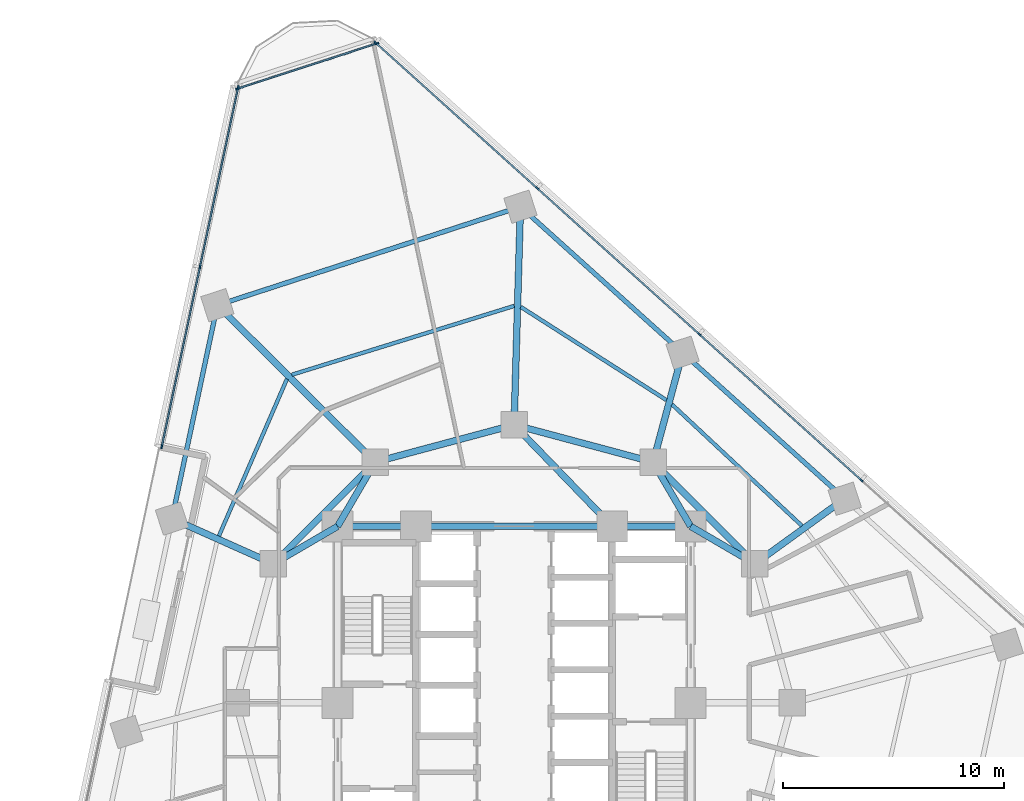
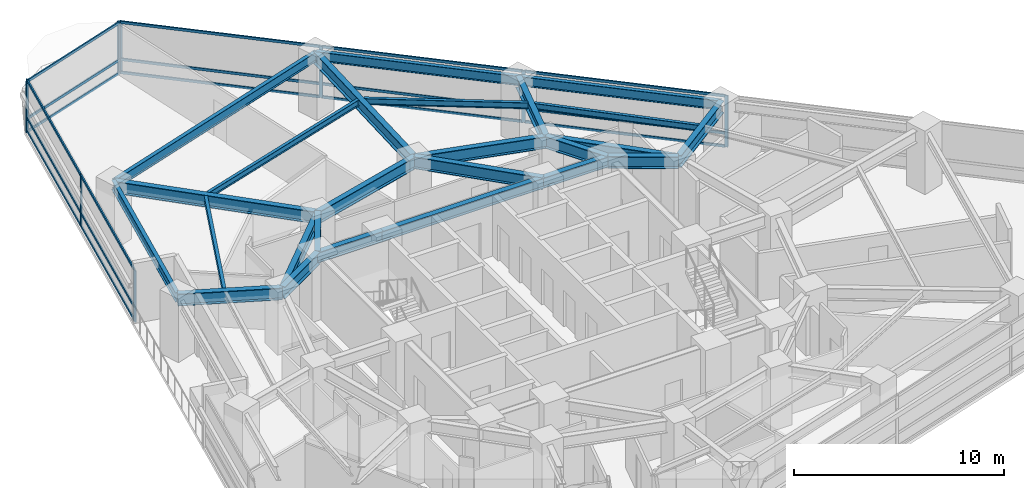
# One storey, part 5 of 14: 27 members, 25 beams, 3 elements without a shape of their own.
"""IFC4 building model written with IfcOpenShell, lengths in metres."""

import ifcopenshell
import ifcopenshell.guid

model = None  # the IFC model being written
_history = None  # IfcOwnerHistory: only IFC2X3 demands one
_inside = {}  # id of a spatial element -> (the spatial element, [elements in it])
_under = {}  # id of a project, library or spatial element -> (it, [spatial elements below it])
_declared = {}  # id of a project -> (the project, [libraries it declares])
_typed = {}  # id of a type object -> (the type object, [elements of that type])
_made_of = {}  # id of a material, layer set ... -> (it, [elements and type objects made of it])


def new_model(schema):
    """Start an empty IFC model of exactly this schema.

    Asked for "IFC4X3", IfcOpenShell would pick the latest addendum, in which some entities
    have other attributes; the version numbers below select the first issue.
    IFC2X3 requires an IfcOwnerHistory on every rooted entity: one is made here for all.
    """
    global model, _history
    if schema == "IFC4X3":
        model = ifcopenshell.file(schema_version=(4, 3, 0, 0))
    else:
        model = ifcopenshell.file(schema=schema)
    _inside.clear()
    _under.clear()
    _declared.clear()
    _typed.clear()
    _made_of.clear()
    _history = None
    if model.schema == "IFC2X3":
        org = make("IfcOrganization", Name="unknown")
        user = make(
            "IfcPersonAndOrganization",
            ThePerson=make("IfcPerson", FamilyName="unknown"),
            TheOrganization=org,
        )
        app = make(
            "IfcApplication",
            ApplicationDeveloper=org,
            Version="unknown",
            ApplicationFullName="unknown",
            ApplicationIdentifier="unknown",
        )
        _history = make(
            "IfcOwnerHistory",
            OwningUser=user,
            OwningApplication=app,
            ChangeAction="ADDED",
            CreationDate=0,
        )
    return model


def make(cls, **values):
    """One entity of the class cls with the attributes given. An attribute that is None is left unset."""
    return model.create_entity(
        cls, **{name: value for name, value in values.items() if value is not None}
    )


def rooted(cls, **values):
    """An entity with a GlobalId (a new one), such as an element, a storey or a relation."""
    return make(cls, GlobalId=ifcopenshell.guid.new(), OwnerHistory=_history, **values)


def si_unit(unit_type, name, prefix=None):
    """IfcSIUnit, for example si_unit("LENGTHUNIT", "METRE", prefix="MILLI")."""
    return make("IfcSIUnit", UnitType=unit_type, Prefix=prefix, Name=name)


def assignment(units):
    """IfcUnitAssignment: the units of a project."""
    return None if units is None else make("IfcUnitAssignment", Units=units)


def point(xyz):
    """IfcCartesianPoint."""
    return None if xyz is None else make("IfcCartesianPoint", Coordinates=xyz)


def direction(xyz):
    """IfcDirection."""
    return None if xyz is None else make("IfcDirection", DirectionRatios=xyz)


def frame(location, z_axis=None, x_axis=None):
    """IfcAxis2Placement3D, a coordinate frame: its origin and axes. An axis left out is left unset."""
    return make(
        "IfcAxis2Placement3D",
        Location=point(location),
        Axis=direction(z_axis),
        RefDirection=direction(x_axis),
    )


def frame_2d(location, x_axis=None):
    """IfcAxis2Placement2D, a coordinate frame in the plane: its origin and x axis."""
    return make(
        "IfcAxis2Placement2D", Location=point(location), RefDirection=direction(x_axis)
    )


def origin():
    """The frame at (0, 0, 0) with its axes left unset."""
    return frame((0.0, 0.0, 0.0))


def origin_2d():
    """The frame at (0, 0) in the plane with its x axis left unset."""
    return frame_2d((0.0, 0.0))


def place(relative_to, where):
    """IfcLocalPlacement: puts the frame where relative to a parent placement (None: the world)."""
    return make(
        "IfcLocalPlacement", PlacementRelTo=relative_to, RelativePlacement=where
    )


def context(
    kind, dimensions, precision=None, world=None, true_north=None, identifier=None
):
    """IfcGeometricRepresentationContext, for example the 3D "Model" context."""
    return make(
        "IfcGeometricRepresentationContext",
        ContextIdentifier=identifier,
        ContextType=kind,
        CoordinateSpaceDimension=dimensions,
        Precision=precision,
        WorldCoordinateSystem=world,
        TrueNorth=true_north,
    )


def subcontext(parent, identifier, kind, view, scale=None):
    """IfcGeometricRepresentationSubContext, for example "Body" below "Model"."""
    return make(
        "IfcGeometricRepresentationSubContext",
        ContextIdentifier=identifier,
        ContextType=kind,
        ParentContext=parent,
        TargetScale=scale,
        TargetView=view,
    )


def project(units=None, contexts=None):
    """IfcProject with its units and contexts."""
    return rooted(
        "IfcProject",
        Name="project",
        RepresentationContexts=contexts,
        UnitsInContext=assignment(units),
    )


def spatial(cls, under=None, at=None, **own):
    """A site, building, storey or space (cls), placed at a placement, below another one or the project."""
    s = rooted(cls, ObjectPlacement=at, **own)
    if under is not None:
        _under.setdefault(under.id(), (under, []))[1].append(s)
    return s


def profile(cls, at=None, kind="AREA", **sizes):
    """A parametric profile (cls). Its sizes go by their IFC names, for example OverallWidth=200.0."""
    return make(cls, ProfileType=kind, Position=at, **sizes)


def rectangle(**sizes):
    """IfcRectangleProfileDef."""
    return profile("IfcRectangleProfileDef", **sizes)


def i_section(**sizes):
    """IfcIShapeProfileDef."""
    return profile("IfcIShapeProfileDef", **sizes)


def extrude(swept, where, along, depth):
    """IfcExtrudedAreaSolid: the profile swept, set in the frame where, extruded along a direction by depth."""
    return make(
        "IfcExtrudedAreaSolid",
        SweptArea=swept,
        Position=where,
        ExtrudedDirection=direction(along),
        Depth=depth,
    )


def shape(context_of_items, identifier, shape_type, items):
    """IfcShapeRepresentation: the items that make up one representation, for example the "Body"."""
    return make(
        "IfcShapeRepresentation",
        ContextOfItems=context_of_items,
        RepresentationIdentifier=identifier,
        RepresentationType=shape_type,
        Items=items,
    )


def material(Name=None, Category=None):
    """IfcMaterial."""
    return make("IfcMaterial", Name=Name, Category=Category)


def layer(
    of_material, thickness, ventilated=None, Name=None, Category=None, Priority=None
):
    """IfcMaterialLayer: one layer of a wall or slab, of a material (None: an air gap)."""
    return make(
        "IfcMaterialLayer",
        Material=of_material,
        LayerThickness=thickness,
        IsVentilated=ventilated,
        Name=Name,
        Category=Category,
        Priority=Priority,
    )


def layer_set(layers, Name=None):
    """IfcMaterialLayerSet."""
    return make("IfcMaterialLayerSet", MaterialLayers=layers, LayerSetName=Name)


def material_profile(
    of_material, cross_section, Name=None, Category=None, Priority=None
):
    """IfcMaterialProfile: a cross section and its material."""
    return make(
        "IfcMaterialProfile",
        Name=Name,
        Material=of_material,
        Profile=cross_section,
        Priority=Priority,
        Category=Category,
    )


def profile_set(profiles, Name=None, composite=None):
    """IfcMaterialProfileSet."""
    return make(
        "IfcMaterialProfileSet",
        Name=Name,
        MaterialProfiles=profiles,
        CompositeProfile=composite,
    )


def made_of(thing, what):
    """Note that an element or type object is made of a material, layer set ...; save() writes the relation."""
    if what is not None:
        _made_of.setdefault(what.id(), (what, []))[1].append(thing)
    return thing


def type_object(cls, material=None, **own):
    """A type object (cls), such as IfcWallType, which elements share."""
    return made_of(rooted(cls, **own), material)


def element(
    cls,
    number,
    at=None,
    inside=None,
    cuts=None,
    type_object=None,
    material=None,
    context=None,
    identifier="Body",
    shape_type=None,
    held_by="IfcProductDefinitionShape",
    body=None,
    shapes=None,
    **own,
):
    """One element of the class cls, such as IfcWall. Its Tag is "e" and its number.

    at: its placement. inside: the storey or other place that contains it. cuts: it is an
    opening in that element (IfcRelVoidsElement). A single representation is given by context,
    identifier, shape_type and body (its items); several are given by shapes. held_by: the class
    of the entity that holds the representations. save() writes the other relations.
    """
    e = rooted(cls, Tag="e%d" % number, ObjectPlacement=at, **own)
    if body is not None:
        shapes = [shape(context, identifier, shape_type, body)]
    if shapes is not None:
        e.Representation = make(held_by, Representations=shapes)
    if inside is not None:
        _inside.setdefault(inside.id(), (inside, []))[1].append(e)
    if cuts is not None:
        rooted(
            "IfcRelVoidsElement", RelatingBuildingElement=cuts, RelatedOpeningElement=e
        )
    if type_object is not None:
        _typed.setdefault(type_object.id(), (type_object, []))[1].append(e)
    return made_of(e, material)


def aggregate(whole, parts):
    """IfcRelAggregates: a whole, such as a stair, and the parts it consists of."""
    return rooted("IfcRelAggregates", RelatingObject=whole, RelatedObjects=parts)


def save(model, path):
    """Write the relations noted so far, then the file.

    IfcRelAggregates (storeys below a building ...), IfcRelContainedInSpatialStructure (elements
    in a storey), IfcRelDefinesByType, IfcRelAssociatesMaterial and IfcRelDeclares: one each for
    every whole, place, type object, material and project.
    """
    for whole, parts in _under.values():
        aggregate(whole, parts)
    for where, things in _inside.values():
        rooted(
            "IfcRelContainedInSpatialStructure",
            RelatedElements=things,
            RelatingStructure=where,
        )
    for kind, things in _typed.values():
        rooted("IfcRelDefinesByType", RelatedObjects=things, RelatingType=kind)
    for what, things in _made_of.values():
        rooted("IfcRelAssociatesMaterial", RelatedObjects=things, RelatingMaterial=what)
    for by, libraries in _declared.values():
        rooted("IfcRelDeclares", RelatingContext=by, RelatedDefinitions=libraries)
    model.write(path)


model = new_model("IFC4")

# Units and contexts
model_context = context("Model", 3, precision=1e-05, world=origin(), true_north=direction((0.0, 1.0)))
body_context = subcontext(model_context, "Body", "Model", "MODEL_VIEW")
ifc_project = project(units=[si_unit("LENGTHUNIT", "METRE"), si_unit("AREAUNIT", "SQUARE_METRE"), si_unit("VOLUMEUNIT", "CUBIC_METRE"), si_unit("PLANEANGLEUNIT", "RADIAN"), si_unit("MASSUNIT", "GRAM", prefix="KILO")], contexts=[model_context])

# Site, building, storey
site_placement = place(None, origin())
site = spatial("IfcSite", under=ifc_project, at=site_placement, CompositionType="ELEMENT")
building_placement = place(site_placement, origin())
building = spatial("IfcBuilding", under=site, at=building_placement, Name="Terralouvre Media Tower", CompositionType="ELEMENT")
storey_placement = place(building_placement, frame((0.0, 0.0, 97.699951171875)))
storey = spatial("IfcBuildingStorey", under=building, at=storey_placement, Name="L24", CompositionType="ELEMENT", Elevation=97.699951171875)

# Beams
ifc_material_1 = material(Name="Structural steel S355J2", Category="steel")
ifc_material_profile_1 = material_profile(ifc_material_1, i_section(OverallWidth=0.169921875, OverallDepth=0.360107421875, WebThickness=0.008056640625, FlangeThickness=0.0126953125, at=origin_2d()), Name="IPE 360")
ifc_profile_set_1 = profile_set([ifc_material_profile_1], Name="Structural steel S355J2")
beam_type_1 = type_object("IfcBeamType", Name="Composite Floor Joist J-IPE360 (IPE 360)", PredefinedType="JOIST", material=ifc_profile_set_1)
beam_1_placement = place(storey_placement, frame((13.041259765625, 8.02685546875, 3.320068359375), z_axis=(-0.730741620607, 0.682654146631, 0.0), x_axis=(-0.682654146631, -0.730741620607, 0.0)))
element("IfcBeam", 1, at=beam_1_placement, inside=storey, type_object=beam_type_1, Name="L24 Framing Beam JT-L24-08", PredefinedType="JOIST", context=body_context, shape_type="SweptSolid", body=[
    extrude(i_section(OverallWidth=0.169921875, OverallDepth=0.360107421875, WebThickness=0.008056640625, FlangeThickness=0.0126953125, at=origin_2d()), origin(), (0.0, 0.0, 1.0), 8.05224609375),
])
beam_2_placement = place(storey_placement, frame((6.90380859375, 13.721923828125, 3.320068359375), z_axis=(-0.842395313358, 0.538860033805, 0.0), x_axis=(-0.538860033805, -0.842395313358, 0.0)))
element("IfcBeam", 2, at=beam_2_placement, inside=storey, type_object=beam_type_1, Name="L24 Framing Beam JT-L24-09", PredefinedType="JOIST", context=body_context, shape_type="SweptSolid", body=[
    extrude(i_section(OverallWidth=0.169921875, OverallDepth=0.360107421875, WebThickness=0.008056640625, FlangeThickness=0.0126953125, at=origin_2d()), origin(), (0.0, 0.0, 1.0), 7.8349609375),
])
beam_3_placement = place(storey_placement, frame((0.008544921875, 17.99072265625, 3.320068359375), z_axis=(-0.955322607301, -0.295565079095, 0.0), x_axis=(0.295565079095, -0.955322607301, 0.0)))
element("IfcBeam", 3, at=beam_3_placement, inside=storey, type_object=beam_type_1, Name="L24 Framing Beam JT-L24-10", PredefinedType="JOIST", context=body_context, shape_type="SweptSolid", body=[
    extrude(i_section(OverallWidth=0.169921875, OverallDepth=0.360107421875, WebThickness=0.008056640625, FlangeThickness=0.0126953125, at=origin_2d()), origin(), (0.0, 0.0, 1.0), 10.551513671875),
])
beam_4_placement = place(storey_placement, frame((-10.295166015625, 14.676513671875, 3.320068359375), z_axis=(-0.3977895236, -0.91747669993, 0.0), x_axis=(0.91747669993, -0.3977895236, 0.0)))
element("IfcBeam", 4, at=beam_4_placement, inside=storey, type_object=beam_type_1, Name="L24 Framing Beam JT-L24-11", PredefinedType="JOIST", context=body_context, shape_type="SweptSolid", body=[
    extrude(i_section(OverallWidth=0.169921875, OverallDepth=0.360107421875, WebThickness=0.008056640625, FlangeThickness=0.0126953125, at=origin_2d()), origin(), (0.0, 0.0, 1.0), 7.7509765625),
])

# Curtain wall, members
ifc_material_2 = material(Name="Low-iron laminated double glazing with solar-control coating", Category="glass")
ifc_layer_1 = layer(ifc_material_2, 0.1650390625, Name="Lower Media Tower Unitised Curtain Wall CW-02")
ifc_layer_set_1 = layer_set([ifc_layer_1], Name="Low-iron laminated double glazing with solar-control coating")
curtain_wall_type_1 = type_object("IfcCurtainWallType", Name="Lower Media Tower Unitised Curtain Wall CW-02", PredefinedType="NOTDEFINED", material=ifc_layer_set_1)
curtain_wall_1_placement = place(storey_placement, origin())
curtain_wall_1 = element("IfcCurtainWall", 5, at=curtain_wall_1_placement, inside=storey, type_object=curtain_wall_type_1, Name="L24 Facade Curtain Wall F1", PredefinedType="NOTDEFINED")
ifc_material_3 = material(Name="Anodised extruded aluminium 6063-T6", Category="aluminium")
ifc_material_profile_2 = material_profile(ifc_material_3, rectangle(XDim=0.074951171875, YDim=0.14990234375, at=origin_2d()), Name="ALU 75x150")
ifc_profile_set_2 = profile_set([ifc_material_profile_2], Name="Anodised extruded aluminium 6063-T6")
member_type_1 = type_object("IfcMemberType", Name="Curtain-Wall Horizontal Transom TR-150", PredefinedType="USERDEFINED", material=ifc_profile_set_2)
member_1_placement = place(storey_placement, frame((15.712158203125, 10.117431640625, 0.03759765625), z_axis=(-0.743145676677, 0.669129661005, 0.0), x_axis=(-0.669129661005, -0.743145676677, 0.0)))
member_1 = element("IfcMember", 6, at=member_1_placement, type_object=member_type_1, Name="CW-02 transom 3.1", ObjectType="TRANSOM", PredefinedType="USERDEFINED", context=body_context, shape_type="SweptSolid", body=[
    extrude(rectangle(XDim=0.074951171875, YDim=0.14990234375, at=origin_2d()), origin(), (0.0, 0.0, 1.0), 9.81298828125),
])
member_2_placement = place(storey_placement, frame((15.712158203125, 10.117431640625, 0.800048828125), z_axis=(-0.743145676677, 0.669129661005, 0.0), x_axis=(-0.669129661005, -0.743145676677, 0.0)))
member_2 = element("IfcMember", 7, at=member_2_placement, type_object=member_type_1, Name="CW-02 transom 3.2", ObjectType="TRANSOM", PredefinedType="USERDEFINED", context=body_context, shape_type="SweptSolid", body=[
    extrude(rectangle(XDim=0.074951171875, YDim=0.14990234375, at=origin_2d()), origin(), (0.0, 0.0, 1.0), 9.81298828125),
])
member_3_placement = place(storey_placement, frame((15.712158203125, 10.117431640625, 2.962646484375), z_axis=(-0.743145676677, 0.669129661005, 0.0), x_axis=(-0.669129661005, -0.743145676677, 0.0)))
member_3 = element("IfcMember", 8, at=member_3_placement, type_object=member_type_1, Name="CW-02 transom 3.3", ObjectType="TRANSOM", PredefinedType="USERDEFINED", context=body_context, shape_type="SweptSolid", body=[
    extrude(rectangle(XDim=0.074951171875, YDim=0.14990234375, at=origin_2d()), origin(), (0.0, 0.0, 1.0), 9.81298828125),
])
member_4_placement = place(storey_placement, frame((8.36376953125, 16.733642578125, 0.03759765625), z_axis=(-0.743145676677, 0.669129661005, 0.0), x_axis=(-0.669129661005, -0.743145676677, 0.0)))
member_4 = element("IfcMember", 9, at=member_4_placement, type_object=member_type_1, Name="CW-02 transom 4.1", ObjectType="TRANSOM", PredefinedType="USERDEFINED", context=body_context, shape_type="SweptSolid", body=[
    extrude(rectangle(XDim=0.074951171875, YDim=0.14990234375, at=origin_2d()), origin(), (0.0, 0.0, 1.0), 9.81298828125),
])
member_5_placement = place(storey_placement, frame((8.36376953125, 16.733642578125, 0.800048828125), z_axis=(-0.743145676677, 0.669129661005, 0.0), x_axis=(-0.669129661005, -0.743145676677, 0.0)))
member_5 = element("IfcMember", 10, at=member_5_placement, type_object=member_type_1, Name="CW-02 transom 4.2", ObjectType="TRANSOM", PredefinedType="USERDEFINED", context=body_context, shape_type="SweptSolid", body=[
    extrude(rectangle(XDim=0.074951171875, YDim=0.14990234375, at=origin_2d()), origin(), (0.0, 0.0, 1.0), 9.81298828125),
])
member_6_placement = place(storey_placement, frame((8.36376953125, 16.733642578125, 2.962646484375), z_axis=(-0.743145676677, 0.669129661005, 0.0), x_axis=(-0.669129661005, -0.743145676677, 0.0)))
member_6 = element("IfcMember", 11, at=member_6_placement, type_object=member_type_1, Name="CW-02 transom 4.3", ObjectType="TRANSOM", PredefinedType="USERDEFINED", context=body_context, shape_type="SweptSolid", body=[
    extrude(rectangle(XDim=0.074951171875, YDim=0.14990234375, at=origin_2d()), origin(), (0.0, 0.0, 1.0), 9.81298828125),
])
member_7_placement = place(storey_placement, frame((1.015625, 23.35009765625, 0.03759765625), z_axis=(-0.743150075485, 0.669124775588, 0.0), x_axis=(-0.669124775588, -0.743150075485, 0.0)))
member_7 = element("IfcMember", 12, at=member_7_placement, type_object=member_type_1, Name="CW-02 transom 5.1", ObjectType="TRANSOM", PredefinedType="USERDEFINED", context=body_context, shape_type="SweptSolid", body=[
    extrude(rectangle(XDim=0.074951171875, YDim=0.14990234375, at=origin_2d()), origin(), (0.0, 0.0, 1.0), 9.775390625),
])
member_8_placement = place(storey_placement, frame((1.015625, 23.35009765625, 0.800048828125), z_axis=(-0.743150075485, 0.669124775588, 0.0), x_axis=(-0.669124775588, -0.743150075485, 0.0)))
member_8 = element("IfcMember", 13, at=member_8_placement, type_object=member_type_1, Name="CW-02 transom 5.2", ObjectType="TRANSOM", PredefinedType="USERDEFINED", context=body_context, shape_type="SweptSolid", body=[
    extrude(rectangle(XDim=0.074951171875, YDim=0.14990234375, at=origin_2d()), origin(), (0.0, 0.0, 1.0), 9.775390625),
])
member_9_placement = place(storey_placement, frame((1.015625, 23.35009765625, 2.962646484375), z_axis=(-0.743150075485, 0.669124775588, 0.0), x_axis=(-0.669124775588, -0.743150075485, 0.0)))
member_9 = element("IfcMember", 14, at=member_9_placement, type_object=member_type_1, Name="CW-02 transom 5.3", ObjectType="TRANSOM", PredefinedType="USERDEFINED", context=body_context, shape_type="SweptSolid", body=[
    extrude(rectangle(XDim=0.074951171875, YDim=0.14990234375, at=origin_2d()), origin(), (0.0, 0.0, 1.0), 9.775390625),
])

curtain_wall_2_placement = place(storey_placement, origin())
curtain_wall_2 = element("IfcCurtainWall", 15, at=curtain_wall_2_placement, inside=storey, type_object=curtain_wall_type_1, Name="L24 Left Flank Curtain Wall F2", PredefinedType="NOTDEFINED")
member_10_placement = place(storey_placement, frame((-12.51416015625, 27.85546875, 0.03759765625), z_axis=(-0.207897346261, -0.978150649653, 0.0), x_axis=(0.978150649653, -0.207897346261, 0.0)))
member_10 = element("IfcMember", 16, at=member_10_placement, type_object=member_type_1, Name="CW-02 transom 1.1", ObjectType="TRANSOM", PredefinedType="USERDEFINED", context=body_context, shape_type="SweptSolid", body=[
    extrude(rectangle(XDim=0.074951171875, YDim=0.14990234375, at=origin_2d()), origin(), (0.0, 0.0, 1.0), 8.247314453125),
])
member_11_placement = place(storey_placement, frame((-12.51416015625, 27.85546875, 0.800048828125), z_axis=(-0.207897346261, -0.978150649653, 0.0), x_axis=(0.978150649653, -0.207897346261, 0.0)))
member_11 = element("IfcMember", 17, at=member_11_placement, type_object=member_type_1, Name="CW-02 transom 1.2", ObjectType="TRANSOM", PredefinedType="USERDEFINED", context=body_context, shape_type="SweptSolid", body=[
    extrude(rectangle(XDim=0.074951171875, YDim=0.14990234375, at=origin_2d()), origin(), (0.0, 0.0, 1.0), 8.247314453125),
])
member_12_placement = place(storey_placement, frame((-12.51416015625, 27.85546875, 2.962646484375), z_axis=(-0.207897346261, -0.978150649653, 0.0), x_axis=(0.978150649653, -0.207897346261, 0.0)))
member_12 = element("IfcMember", 18, at=member_12_placement, type_object=member_type_1, Name="CW-02 transom 1.3", ObjectType="TRANSOM", PredefinedType="USERDEFINED", context=body_context, shape_type="SweptSolid", body=[
    extrude(rectangle(XDim=0.074951171875, YDim=0.14990234375, at=origin_2d()), origin(), (0.0, 0.0, 1.0), 8.247314453125),
])
member_13_placement = place(storey_placement, frame((-14.244384765625, 19.71484375, 0.03759765625), z_axis=(-0.207925668903, -0.978144629496, 0.0), x_axis=(0.978144629496, -0.207925668903, 0.0)))
member_13 = element("IfcMember", 19, at=member_13_placement, type_object=member_type_1, Name="CW-02 transom 2.1", ObjectType="TRANSOM", PredefinedType="USERDEFINED", context=body_context, shape_type="SweptSolid", body=[
    extrude(rectangle(XDim=0.074951171875, YDim=0.14990234375, at=origin_2d()), origin(), (0.0, 0.0, 1.0), 8.247314453125),
])
member_14_placement = place(storey_placement, frame((-14.244384765625, 19.71484375, 0.800048828125), z_axis=(-0.207925668903, -0.978144629496, 0.0), x_axis=(0.978144629496, -0.207925668903, 0.0)))
member_14 = element("IfcMember", 20, at=member_14_placement, type_object=member_type_1, Name="CW-02 transom 2.2", ObjectType="TRANSOM", PredefinedType="USERDEFINED", context=body_context, shape_type="SweptSolid", body=[
    extrude(rectangle(XDim=0.074951171875, YDim=0.14990234375, at=origin_2d()), origin(), (0.0, 0.0, 1.0), 8.247314453125),
])
member_15_placement = place(storey_placement, frame((-14.244384765625, 19.71484375, 2.962646484375), z_axis=(-0.207925668903, -0.978144629496, 0.0), x_axis=(0.978144629496, -0.207925668903, 0.0)))
member_15 = element("IfcMember", 21, at=member_15_placement, type_object=member_type_1, Name="CW-02 transom 2.3", ObjectType="TRANSOM", PredefinedType="USERDEFINED", context=body_context, shape_type="SweptSolid", body=[
    extrude(rectangle(XDim=0.074951171875, YDim=0.14990234375, at=origin_2d()), origin(), (0.0, 0.0, 1.0), 8.247314453125),
])

ifc_material_4 = material(Name="Low-iron laminated double glazing with solar-control coating", Category="glass")
ifc_layer_2 = layer(ifc_material_4, 0.1650390625, Name="Rounded Wind-Corner Curved Glazing CW-04")
ifc_layer_set_2 = layer_set([ifc_layer_2], Name="Low-iron laminated double glazing with solar-control coating")
curtain_wall_type_2 = type_object("IfcCurtainWallType", Name="Rounded Wind-Corner Curved Glazing CW-04", PredefinedType="NOTDEFINED", material=ifc_layer_set_2)
curtain_wall_3_placement = place(storey_placement, origin())
curtain_wall_3 = element("IfcCurtainWall", 22, at=curtain_wall_3_placement, inside=storey, type_object=curtain_wall_type_2, Name="L24 Rounded Wind-Corner Curtain Wall C2", PredefinedType="NOTDEFINED")
member_16_placement = place(storey_placement, frame((-6.25244140625, 29.874267578125, 0.03759765625), z_axis=(-0.951049086089, -0.309039861262, 0.0), x_axis=(0.309039861262, -0.951049086089, 0.0)))
member_16 = element("IfcMember", 23, at=member_16_placement, type_object=member_type_1, Name="CW-04 transom 1.1", ObjectType="TRANSOM", PredefinedType="USERDEFINED", context=body_context, shape_type="SweptSolid", body=[
    extrude(rectangle(XDim=0.074951171875, YDim=0.14990234375, at=origin_2d()), origin(), (0.0, 0.0, 1.0), 6.5703125),
])
member_17_placement = place(storey_placement, frame((-6.25244140625, 29.874267578125, 0.800048828125), z_axis=(-0.951049086089, -0.309039861262, 0.0), x_axis=(0.309039861262, -0.951049086089, 0.0)))
member_17 = element("IfcMember", 24, at=member_17_placement, type_object=member_type_1, Name="CW-04 transom 1.2", ObjectType="TRANSOM", PredefinedType="USERDEFINED", context=body_context, shape_type="SweptSolid", body=[
    extrude(rectangle(XDim=0.074951171875, YDim=0.14990234375, at=origin_2d()), origin(), (0.0, 0.0, 1.0), 6.5703125),
])
member_18_placement = place(storey_placement, frame((-6.25244140625, 29.874267578125, 2.962646484375), z_axis=(-0.951049086089, -0.309039861262, 0.0), x_axis=(0.309039861262, -0.951049086089, 0.0)))
member_18 = element("IfcMember", 25, at=member_18_placement, type_object=member_type_1, Name="CW-04 transom 1.3", ObjectType="TRANSOM", PredefinedType="USERDEFINED", context=body_context, shape_type="SweptSolid", body=[
    extrude(rectangle(XDim=0.074951171875, YDim=0.14990234375, at=origin_2d()), origin(), (0.0, 0.0, 1.0), 6.5703125),
])

# Member
ifc_material_5 = material(Name="Anodised extruded aluminium 6063-T6", Category="aluminium")
ifc_material_profile_3 = material_profile(ifc_material_5, rectangle(XDim=0.074951171875, YDim=0.179931640625, at=origin_2d()), Name="ALU 75x180")
ifc_profile_set_3 = profile_set([ifc_material_profile_3], Name="Anodised extruded aluminium 6063-T6")
member_type_2 = type_object("IfcMemberType", Name="Curtain-Wall Vertical Mullion ML-180", PredefinedType="MULLION", material=ifc_profile_set_3)
member_19_placement = place(storey_placement, frame((15.739990234375, 10.09228515625, 0.0), z_axis=(0.0, 0.0, 1.0), x_axis=(-0.669130639602, -0.743144795545, 0.0)))
member_19 = element("IfcMember", 26, at=member_19_placement, type_object=member_type_2, Name="CW-02 mullion 3", PredefinedType="MULLION", context=body_context, shape_type="SweptSolid", body=[
    extrude(rectangle(XDim=0.074951171875, YDim=0.179931640625, at=origin_2d()), origin(), (0.0, 0.0, 1.0), 3.0),
])

member_20_placement = place(storey_placement, frame((8.3916015625, 16.708740234375, 0.0), z_axis=(0.0, 0.0, 1.0), x_axis=(-0.669130639602, -0.743144795545, 0.0)))
member_20 = element("IfcMember", 27, at=member_20_placement, type_object=member_type_2, Name="CW-02 mullion 4", PredefinedType="MULLION", context=body_context, shape_type="SweptSolid", body=[
    extrude(rectangle(XDim=0.074951171875, YDim=0.179931640625, at=origin_2d()), origin(), (0.0, 0.0, 1.0), 3.0),
])

member_21_placement = place(storey_placement, frame((1.04345703125, 23.324951171875, 0.0), z_axis=(0.0, 0.0, 1.0), x_axis=(-0.669130639602, -0.743144795545, 0.0)))
member_21 = element("IfcMember", 28, at=member_21_placement, type_object=member_type_2, Name="CW-02 mullion 5", PredefinedType="MULLION", context=body_context, shape_type="SweptSolid", body=[
    extrude(rectangle(XDim=0.074951171875, YDim=0.179931640625, at=origin_2d()), origin(), (0.0, 0.0, 1.0), 3.0),
])

member_22_placement = place(storey_placement, frame((-6.27685546875, 29.916259765625, 0.0), z_axis=(0.0, 0.0, 1.0), x_axis=(-0.669130639602, -0.743144795545, 0.0)))
member_22 = element("IfcMember", 29, at=member_22_placement, type_object=member_type_2, Name="CW-02 mullion 6", PredefinedType="MULLION", context=body_context, shape_type="SweptSolid", body=[
    extrude(rectangle(XDim=0.074951171875, YDim=0.179931640625, at=origin_2d()), origin(), (0.0, 0.0, 1.0), 3.0),
])

aggregate(curtain_wall_1, [member_19, member_20, member_21, member_22, member_1, member_2, member_3, member_4, member_5, member_6, member_7, member_8, member_9])

member_23_placement = place(storey_placement, frame((-12.50634765625, 27.89208984375, 0.0), z_axis=(0.0, 0.0, 1.0), x_axis=(0.978147526784, -0.207912038726, 0.0)))
member_23 = element("IfcMember", 30, at=member_23_placement, type_object=member_type_2, Name="CW-02 mullion 1", PredefinedType="MULLION", context=body_context, shape_type="SweptSolid", body=[
    extrude(rectangle(XDim=0.074951171875, YDim=0.179931640625, at=origin_2d()), origin(), (0.0, 0.0, 1.0), 3.0),
])

member_24_placement = place(storey_placement, frame((-14.236572265625, 19.75146484375, 0.0), z_axis=(0.0, 0.0, 1.0), x_axis=(0.978147526784, -0.207912038726, 0.0)))
member_24 = element("IfcMember", 31, at=member_24_placement, type_object=member_type_2, Name="CW-02 mullion 2", PredefinedType="MULLION", context=body_context, shape_type="SweptSolid", body=[
    extrude(rectangle(XDim=0.074951171875, YDim=0.179931640625, at=origin_2d()), origin(), (0.0, 0.0, 1.0), 3.0),
])

member_25_placement = place(storey_placement, frame((-15.967041015625, 11.61083984375, 0.0), z_axis=(0.0, 0.0, 1.0), x_axis=(0.978147526784, -0.207912038726, 0.0)))
member_25 = element("IfcMember", 32, at=member_25_placement, type_object=member_type_2, Name="CW-02 mullion 3", PredefinedType="MULLION", context=body_context, shape_type="SweptSolid", body=[
    extrude(rectangle(XDim=0.074951171875, YDim=0.179931640625, at=origin_2d()), origin(), (0.0, 0.0, 1.0), 3.0),
])

aggregate(curtain_wall_2, [member_23, member_24, member_25, member_10, member_11, member_12, member_13, member_14, member_15])

member_26_placement = place(storey_placement, frame((-6.216796875, 29.8857421875, 0.0), z_axis=(0.0, 0.0, 1.0), x_axis=(0.309017701894, -0.951056286408, 0.0)))
member_26 = element("IfcMember", 33, at=member_26_placement, type_object=member_type_2, Name="CW-04 mullion 1", PredefinedType="MULLION", context=body_context, shape_type="SweptSolid", body=[
    extrude(rectangle(XDim=0.074951171875, YDim=0.179931640625, at=origin_2d()), origin(), (0.0, 0.0, 1.0), 3.0),
])

member_27_placement = place(storey_placement, frame((-12.536865234375, 27.832275390625, 0.0), z_axis=(0.0, 0.0, 1.0), x_axis=(0.309017701894, -0.951056286408, 0.0)))
member_27 = element("IfcMember", 34, at=member_27_placement, type_object=member_type_2, Name="CW-04 mullion 2", PredefinedType="MULLION", context=body_context, shape_type="SweptSolid", body=[
    extrude(rectangle(XDim=0.074951171875, YDim=0.179931640625, at=origin_2d()), origin(), (0.0, 0.0, 1.0), 3.0),
])

aggregate(curtain_wall_3, [member_26, member_27, member_16, member_17, member_18])

# Beams
ifc_material_6 = material(Name="Structural steel S355J2", Category="steel")
ifc_material_profile_4 = material_profile(ifc_material_6, i_section(OverallWidth=0.2099609375, OverallDepth=0.550048828125, WebThickness=0.010986328125, FlangeThickness=0.01708984375, at=origin_2d()), Name="IPE 550")
ifc_profile_set_4 = profile_set([ifc_material_profile_4], Name="Structural steel S355J2")
beam_type_2 = type_object("IfcBeamType", Name="Perimeter Spandrel Beam SPB-550 (IPE 550)", PredefinedType="SPANDREL", material=ifc_profile_set_4)
beam_5_placement = place(storey_placement, frame((14.98388671875, 9.25244140625, 3.22509765625), z_axis=(-0.743148033922, 0.669127043002, 0.0), x_axis=(-0.669127043002, -0.743148033922, 0.0)))
element("IfcBeam", 35, at=beam_5_placement, inside=storey, type_object=beam_type_2, Name="L24 Framing Beam BM-L24-PR08", PredefinedType="SPANDREL", context=body_context, shape_type="SweptSolid", body=[
    extrude(i_section(OverallWidth=0.2099609375, OverallDepth=0.550048828125, WebThickness=0.010986328125, FlangeThickness=0.01708984375, at=origin_2d()), origin(), (0.0, 0.0, 1.0), 9.88818359375),
])
beam_6_placement = place(storey_placement, frame((7.635498046875, 15.868896484375, 3.22509765625), z_axis=(-0.743136979084, 0.669139320558, 0.0), x_axis=(-0.669139320558, -0.743136979084, 0.0)))
element("IfcBeam", 36, at=beam_6_placement, inside=storey, type_object=beam_type_2, Name="L24 Framing Beam BM-L24-PR09", PredefinedType="SPANDREL", context=body_context, shape_type="SweptSolid", body=[
    extrude(i_section(OverallWidth=0.2099609375, OverallDepth=0.550048828125, WebThickness=0.010986328125, FlangeThickness=0.01708984375, at=origin_2d()), origin(), (0.0, 0.0, 1.0), 9.887939453125),
])
beam_7_placement = place(storey_placement, frame((0.287353515625, 22.4853515625, 3.22509765625), z_axis=(-0.951052948313, -0.309027975278, 0.0), x_axis=(0.309027975278, -0.951052948313, 0.0)))
element("IfcBeam", 37, at=beam_7_placement, inside=storey, type_object=beam_type_2, Name="L24 Framing Beam BM-L24-PR10", PredefinedType="SPANDREL", context=body_context, shape_type="SweptSolid", body=[
    extrude(i_section(OverallWidth=0.2099609375, OverallDepth=0.550048828125, WebThickness=0.010986328125, FlangeThickness=0.01708984375, at=origin_2d()), origin(), (0.0, 0.0, 1.0), 14.443359375),
])
beam_8_placement = place(storey_placement, frame((-13.448974609375, 18.02197265625, 3.22509765625), z_axis=(-0.207920177572, -0.97814579678, 0.0), x_axis=(0.97814579678, -0.207920177572, 0.0)))
element("IfcBeam", 38, at=beam_8_placement, inside=storey, type_object=beam_type_2, Name="L24 Framing Beam BM-L24-PR11", PredefinedType="SPANDREL", context=body_context, shape_type="SweptSolid", body=[
    extrude(i_section(OverallWidth=0.2099609375, OverallDepth=0.550048828125, WebThickness=0.010986328125, FlangeThickness=0.01708984375, at=origin_2d()), origin(), (0.0, 0.0, 1.0), 9.887939453125),
])
ifc_material_7 = material(Name="Structural steel S460M", Category="steel")
ifc_material_profile_5 = material_profile(ifc_material_7, i_section(OverallWidth=0.300048828125, OverallDepth=0.60009765625, WebThickness=0.015380859375, FlangeThickness=0.030029296875, at=origin_2d()), Name="HEB 600")
ifc_profile_set_5 = profile_set([ifc_material_profile_5], Name="Structural steel S460M")
beam_type_3 = type_object("IfcBeamType", Name="Primary Floor Girder B-HEB600 (HEB 600)", PredefinedType="BEAM", material=ifc_profile_set_5)
beam_9_placement = place(storey_placement, frame((8.0, 8.0, 3.199951171875), z_axis=(-1.0, 0.0, 0.0), x_axis=(0.0, -1.0, 0.0)))
element("IfcBeam", 39, at=beam_9_placement, inside=storey, type_object=beam_type_3, Name="L24 Framing Beam BM-L24-CPR06", PredefinedType="BEAM", context=body_context, shape_type="SweptSolid", body=[
    extrude(i_section(OverallWidth=0.300048828125, OverallDepth=0.60009765625, WebThickness=0.015380859375, FlangeThickness=0.030029296875, at=origin_2d()), origin(), (0.0, 0.0, 1.0), 3.550048828125),
])
beam_10_placement = place(storey_placement, frame((4.449951171875, 8.0, 3.199951171875), z_axis=(-1.0, 0.0, 0.0), x_axis=(0.0, -1.0, 0.0)))
element("IfcBeam", 40, at=beam_10_placement, inside=storey, type_object=beam_type_3, Name="L24 Framing Beam BM-L24-CPR07", PredefinedType="BEAM", context=body_context, shape_type="SweptSolid", body=[
    extrude(i_section(OverallWidth=0.300048828125, OverallDepth=0.60009765625, WebThickness=0.015380859375, FlangeThickness=0.030029296875, at=origin_2d()), origin(), (0.0, 0.0, 1.0), 8.89990234375),
])
beam_11_placement = place(storey_placement, frame((-4.449951171875, 8.0, 3.199951171875), z_axis=(-1.0, 0.0, 0.0), x_axis=(0.0, -1.0, 0.0)))
element("IfcBeam", 41, at=beam_11_placement, inside=storey, type_object=beam_type_3, Name="L24 Framing Beam BM-L24-CPR08", PredefinedType="BEAM", context=body_context, shape_type="SweptSolid", body=[
    extrude(i_section(OverallWidth=0.300048828125, OverallDepth=0.60009765625, WebThickness=0.015380859375, FlangeThickness=0.030029296875, at=origin_2d()), origin(), (0.0, 0.0, 1.0), 3.550048828125),
])
ifc_material_8 = material(Name="Structural steel S460M", Category="steel")
ifc_material_profile_6 = material_profile(ifc_material_8, i_section(OverallWidth=0.300048828125, OverallDepth=0.699951171875, WebThickness=0.01708984375, FlangeThickness=0.031982421875, at=origin_2d()), Name="HEB 700")
ifc_profile_set_6 = profile_set([ifc_material_profile_6], Name="Structural steel S460M")
beam_type_4 = type_object("IfcBeamType", Name="Primary Floor Girder B-HEB700 (HEB 700)", PredefinedType="BEAM", material=ifc_profile_set_6)
beam_12_placement = place(storey_placement, frame((10.911865234375, 6.300048828125, 3.150146484375), z_axis=(-0.707106781187, 0.707106781187, 0.0), x_axis=(-0.707106781187, -0.707106781187, 0.0)))
element("IfcBeam", 42, at=beam_12_placement, inside=storey, type_object=beam_type_4, Name="L24 Framing Beam BM-L24-MR07", PredefinedType="BEAM", context=body_context, shape_type="SweptSolid", body=[
    extrude(i_section(OverallWidth=0.300048828125, OverallDepth=0.699951171875, WebThickness=0.01708984375, FlangeThickness=0.031982421875, at=origin_2d()), origin(), (0.0, 0.0, 1.0), 6.52197265625),
])
for number, where, z_axis, x_axis, name in (
    (43, (6.300048828125, 10.911865234375, 3.150146484375), (-0.965920481897, 0.258838989821, 0.0), (-0.258838989821, -0.965920481897, 0.0), "L24 Framing Beam BM-L24-MR08"),
    (44, (0.0, 12.60009765625, 3.150146484375), (-0.965920481897, -0.258838989821, 0.0), (0.258838989821, -0.965920481897, 0.0), "L24 Framing Beam BM-L24-MR09"),
):
    element("IfcBeam", number, at=place(storey_placement, frame(where, z_axis=z_axis, x_axis=x_axis)), inside=storey, type_object=beam_type_4, Name=name, PredefinedType="BEAM", context=body_context, shape_type="SweptSolid", body=[
        extrude(i_section(OverallWidth=0.300048828125, OverallDepth=0.699951171875, WebThickness=0.01708984375, FlangeThickness=0.031982421875, at=origin_2d()), origin(), (0.0, 0.0, 1.0), 6.522216796875),
    ])
beam_13_placement = place(storey_placement, frame((-6.300048828125, 10.911865234375, 3.150146484375), z_axis=(-0.707106781187, -0.707106781187, 0.0), x_axis=(0.707106781187, -0.707106781187, 0.0)))
element("IfcBeam", 45, at=beam_13_placement, inside=storey, type_object=beam_type_4, Name="L24 Framing Beam BM-L24-MR10", PredefinedType="BEAM", context=body_context, shape_type="SweptSolid", body=[
    extrude(i_section(OverallWidth=0.300048828125, OverallDepth=0.699951171875, WebThickness=0.01708984375, FlangeThickness=0.031982421875, at=origin_2d()), origin(), (0.0, 0.0, 1.0), 6.52197265625),
])
for number, where, z_axis, x_axis, name in (
    (46, (8.0, 8.0, 3.150146484375), (0.863602894532, -0.504172629717, 0.0), (0.504172629717, 0.863602894532, 0.0), "L24 Framing Beam BM-L24-CM07"),
    (47, (8.0, 8.0, 3.150146484375), (-0.504172629717, 0.863602894532, 0.0), (-0.863602894532, -0.504172629717, 0.0), "L24 Framing Beam BM-L24-CM08"),
):
    element("IfcBeam", number, at=place(storey_placement, frame(where, z_axis=z_axis, x_axis=x_axis)), inside=storey, type_object=beam_type_4, Name=name, PredefinedType="BEAM", context=body_context, shape_type="SweptSolid", body=[
        extrude(i_section(OverallWidth=0.300048828125, OverallDepth=0.699951171875, WebThickness=0.01708984375, FlangeThickness=0.031982421875, at=origin_2d()), origin(), (0.0, 0.0, 1.0), 3.371826171875),
    ])
beam_14_placement = place(storey_placement, frame((4.449951171875, 8.0, 3.150146484375), z_axis=(-0.695279715726, 0.718739255155, 0.0), x_axis=(-0.718739255155, -0.695279715726, 0.0)))
element("IfcBeam", 48, at=beam_14_placement, inside=storey, type_object=beam_type_4, Name="L24 Framing Beam BM-L24-CM09", PredefinedType="BEAM", context=body_context, shape_type="SweptSolid", body=[
    extrude(i_section(OverallWidth=0.300048828125, OverallDepth=0.699951171875, WebThickness=0.01708984375, FlangeThickness=0.031982421875, at=origin_2d()), origin(), (0.0, 0.0, 1.0), 6.400146484375),
])
for number, where, z_axis, x_axis, name in (
    (49, (-8.0, 8.0, 3.150146484375), (0.504172629717, 0.863602894532, 0.0), (-0.863602894532, 0.504172629717, 0.0), "L24 Framing Beam BM-L24-CM10"),
    (50, (-8.0, 8.0, 3.150146484375), (-0.863602894532, -0.504172629717, 0.0), (0.504172629717, -0.863602894532, 0.0), "L24 Framing Beam BM-L24-CM11"),
):
    element("IfcBeam", number, at=place(storey_placement, frame(where, z_axis=z_axis, x_axis=x_axis)), inside=storey, type_object=beam_type_4, Name=name, PredefinedType="BEAM", context=body_context, shape_type="SweptSolid", body=[
        extrude(i_section(OverallWidth=0.300048828125, OverallDepth=0.699951171875, WebThickness=0.01708984375, FlangeThickness=0.031982421875, at=origin_2d()), origin(), (0.0, 0.0, 1.0), 3.371826171875),
    ])
beam_15_placement = place(storey_placement, frame((10.911865234375, 6.300048828125, 3.150146484375), z_axis=(0.809593719636, 0.586990638022, 0.0), x_axis=(-0.586990638022, 0.809593719636, 0.0)))
element("IfcBeam", 51, at=beam_15_placement, inside=storey, type_object=beam_type_4, Name="L24 Framing Beam BM-L24-RD08", PredefinedType="BEAM", context=body_context, shape_type="SweptSolid", body=[
    extrude(i_section(OverallWidth=0.300048828125, OverallDepth=0.699951171875, WebThickness=0.01708984375, FlangeThickness=0.031982421875, at=origin_2d()), origin(), (0.0, 0.0, 1.0), 5.02978515625),
])
beam_16_placement = place(storey_placement, frame((6.300048828125, 10.911865234375, 3.150146484375), z_axis=(0.260130371447, 0.96557350308, 0.0), x_axis=(-0.96557350308, 0.260130371447, 0.0)))
element("IfcBeam", 52, at=beam_16_placement, inside=storey, type_object=beam_type_4, Name="L24 Framing Beam BM-L24-RD09", PredefinedType="BEAM", context=body_context, shape_type="SweptSolid", body=[
    extrude(i_section(OverallWidth=0.300048828125, OverallDepth=0.699951171875, WebThickness=0.01708984375, FlangeThickness=0.031982421875, at=origin_2d()), origin(), (0.0, 0.0, 1.0), 5.1337890625),
])
beam_17_placement = place(storey_placement, frame((0.0, 12.60009765625, 3.150146484375), z_axis=(0.029056632049, 0.999577766927, 0.0), x_axis=(-0.999577766927, 0.029056632049, 0.0)))
element("IfcBeam", 53, at=beam_17_placement, inside=storey, type_object=beam_type_4, Name="L24 Framing Beam BM-L24-RD10", PredefinedType="BEAM", context=body_context, shape_type="SweptSolid", body=[
    extrude(i_section(OverallWidth=0.300048828125, OverallDepth=0.699951171875, WebThickness=0.01708984375, FlangeThickness=0.031982421875, at=origin_2d()), origin(), (0.0, 0.0, 1.0), 9.889404296875),
])
beam_18_placement = place(storey_placement, frame((-6.300048828125, 10.911865234375, 3.150146484375), z_axis=(-0.709029159826, 0.705179161998, 0.0), x_axis=(-0.705179161998, -0.709029159826, 0.0)))
element("IfcBeam", 54, at=beam_18_placement, inside=storey, type_object=beam_type_4, Name="L24 Framing Beam BM-L24-RD11", PredefinedType="BEAM", context=body_context, shape_type="SweptSolid", body=[
    extrude(i_section(OverallWidth=0.300048828125, OverallDepth=0.699951171875, WebThickness=0.01708984375, FlangeThickness=0.031982421875, at=origin_2d()), origin(), (0.0, 0.0, 1.0), 10.082763671875),
])
beam_19_placement = place(storey_placement, frame((-10.911865234375, 6.300048828125, 3.150146484375), z_axis=(-0.913167886247, 0.407583625196, 0.0), x_axis=(-0.407583625196, -0.913167886247, 0.0)))
element("IfcBeam", 55, at=beam_19_placement, inside=storey, type_object=beam_type_4, Name="L24 Framing Beam BM-L24-RD12", PredefinedType="BEAM", context=body_context, shape_type="SweptSolid", body=[
    extrude(i_section(OverallWidth=0.300048828125, OverallDepth=0.699951171875, WebThickness=0.01708984375, FlangeThickness=0.031982421875, at=origin_2d()), origin(), (0.0, 0.0, 1.0), 5.02978515625),
])

save(model, "model.ifc")
